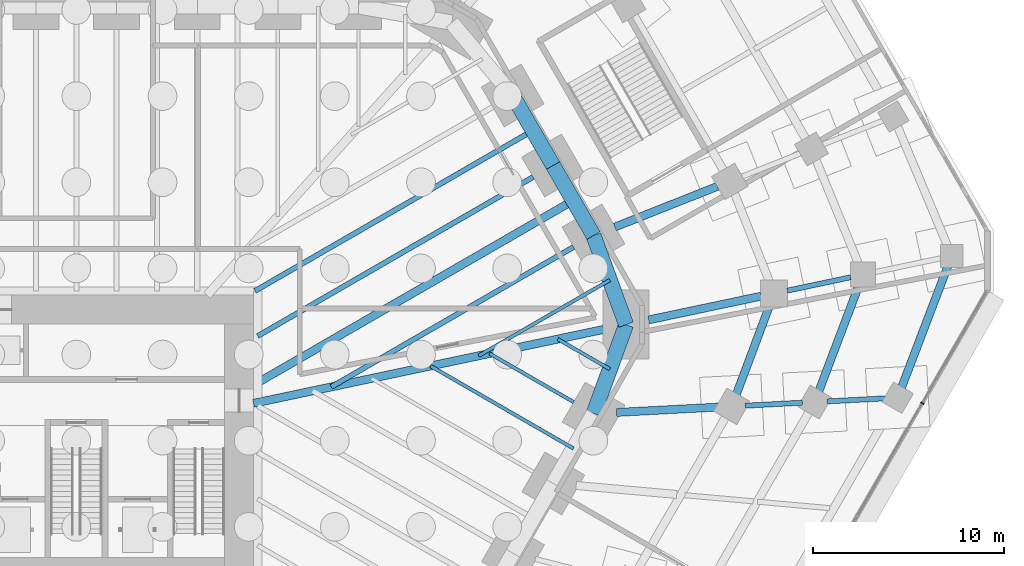
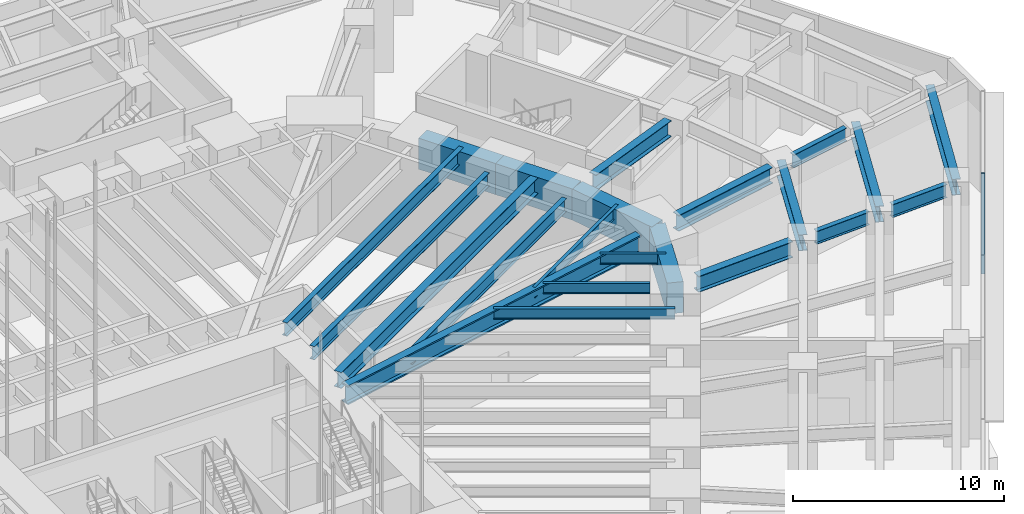
# One storey, part 11 of 34: 22 beams, 1 member, 1 element without a shape of its own.
"""IFC4 building model written with IfcOpenShell, lengths in metres."""

from ifc_helpers import new_model, si_unit, direction, frame, origin, origin_2d, place, context, subcontext, project, spatial, rectangle, i_section, extrude, material, material_profile, profile_set, type_object, element, aggregate, save


model = new_model("IFC4")

# Units and contexts
model_context = context("Model", 3, precision=1e-05, world=origin(), true_north=direction((0.0, 1.0)))
body_context = subcontext(model_context, "Body", "Model", "MODEL_VIEW")
ifc_project = project(units=[si_unit("LENGTHUNIT", "METRE"), si_unit("AREAUNIT", "SQUARE_METRE"), si_unit("VOLUMEUNIT", "CUBIC_METRE"), si_unit("PLANEANGLEUNIT", "RADIAN"), si_unit("MASSUNIT", "GRAM", prefix="KILO")], contexts=[model_context])

# Site, building, storey
site_placement = place(None, origin())
site = spatial("IfcSite", under=ifc_project, at=site_placement, CompositionType="ELEMENT")
building_placement = place(site_placement, origin())
building = spatial("IfcBuilding", under=site, at=building_placement, Name="Sandreach Pilgrim Tower", CompositionType="ELEMENT")
storey_placement = place(building_placement, origin())
storey = spatial("IfcBuildingStorey", under=building, at=storey_placement, Name="L00", CompositionType="ELEMENT", Elevation=0.0)

# Curtain wall, member
ifc_material_1 = material(Name="Aluminium framed curtain wall", Category="aluminium")
curtain_wall_type = type_object("IfcCurtainWallType", Name="Podium storefront curtain wall", PredefinedType="NOTDEFINED", material=ifc_material_1)
curtain_wall_placement = place(storey_placement, origin())
curtain_wall = element("IfcCurtainWall", 1, at=curtain_wall_placement, inside=storey, type_object=curtain_wall_type, Name="CW-P L00 SEA", PredefinedType="NOTDEFINED")
ifc_material_2 = material(Name="Aluminium extrusion", Category="aluminium")
ifc_material_profile_1 = material_profile(ifc_material_2, rectangle(XDim=0.070068359375, YDim=0.199951171875, at=origin_2d()), Name="CW-PM 70X200")
ifc_profile_set_1 = profile_set([ifc_material_profile_1], Name="Aluminium extrusion")
member_type = type_object("IfcMemberType", Name="CW-P mullion", PredefinedType="MULLION", material=ifc_profile_set_1)
member_placement = place(storey_placement, frame((44.18505859375, 1.9599609375, 0.0), z_axis=(0.0, 0.0, 1.0), x_axis=(-0.5, -0.866025403784, 0.0)))
member = element("IfcMember", 2, at=member_placement, type_object=member_type, Name="CW-P mullion 2", PredefinedType="MULLION", context=body_context, shape_type="SweptSolid", body=[
    extrude(rectangle(XDim=0.070068359375, YDim=0.199951171875, at=origin_2d()), origin(), (0.0, 0.0, 1.0), 5.840087890625),
])
aggregate(curtain_wall, [member])

# Beams
ifc_material_3 = material(Name="Steel ASTM A992 Grade 50", Category="steel")
ifc_material_profile_2 = material_profile(ifc_material_3, i_section(OverallWidth=0.424072265625, OverallDepth=1.09228515625, WebThickness=0.04541015625, FlangeThickness=0.08203125, at=origin_2d()), Name="W40X593")
ifc_profile_set_2 = profile_set([ifc_material_profile_2], Name="Steel ASTM A992 Grade 50")
beam_type_1 = type_object("IfcBeamType", Name="Corner girder W40X593", PredefinedType="BEAM", material=ifc_profile_set_2)
beam_1_placement = place(storey_placement, frame((27.53857421875, 5.814208984375, 5.2939453125), z_axis=(-0.978429884383, -0.206579189045, 0.0), x_axis=(0.206579189045, -0.978429884383, 0.0)))
element("IfcBeam", 3, at=beam_1_placement, inside=storey, type_object=beam_type_1, Name="BM L00 CG13", PredefinedType="BEAM", context=body_context, shape_type="SweptSolid", body=[
    extrude(i_section(OverallWidth=0.424072265625, OverallDepth=1.09228515625, WebThickness=0.04541015625, FlangeThickness=0.08203125, at=origin_2d()), origin(), (0.0, 0.0, 1.0), 18.691650390625),
])
ifc_material_4 = material(Name="Steel ASTM A992 Grade 50", Category="steel")
ifc_material_profile_3 = material_profile(ifc_material_4, i_section(OverallWidth=0.1787109375, OverallDepth=0.60205078125, WebThickness=0.010986328125, FlangeThickness=0.014892578125, at=origin_2d()), Name="W24X62")
ifc_profile_set_3 = profile_set([ifc_material_profile_3], Name="Steel ASTM A992 Grade 50")
beam_type_2 = type_object("IfcBeamType", Name="Floor beam W24X62", PredefinedType="BEAM", material=ifc_profile_set_3)
beam_2_placement = place(storey_placement, frame((25.97705078125, 2.016357421875, 5.5390625), z_axis=(-0.866027897259, 0.49999568115, 0.0), x_axis=(-0.49999568115, -0.866027897259, 0.0)))
element("IfcBeam", 4, at=beam_2_placement, inside=storey, type_object=beam_type_2, Name="BM L00 F14", PredefinedType="BEAM", context=body_context, shape_type="SweptSolid", body=[
    extrude(i_section(OverallWidth=0.1787109375, OverallDepth=0.60205078125, WebThickness=0.010986328125, FlangeThickness=0.014892578125, at=origin_2d()), origin(), (0.0, 0.0, 1.0), 5.0791015625),
])
beam_3_placement = place(storey_placement, frame((27.861328125, 8.390380859375, 5.5390625), z_axis=(-0.866028778003, -0.499994155636, 0.0), x_axis=(0.499994155636, -0.866028778003, 0.0)))
element("IfcBeam", 5, at=beam_3_placement, inside=storey, type_object=beam_type_2, Name="BM L00 FM12", PredefinedType="BEAM", context=body_context, shape_type="SweptSolid", body=[
    extrude(i_section(OverallWidth=0.1787109375, OverallDepth=0.60205078125, WebThickness=0.010986328125, FlangeThickness=0.014892578125, at=origin_2d()), origin(), (0.0, 0.0, 1.0), 7.90771484375),
])
beam_4_placement = place(storey_placement, frame((27.864501953125, 3.7392578125, 5.5390625), z_axis=(-0.866023718453, 0.500002919068, 0.0), x_axis=(-0.500002919068, -0.866023718453, 0.0)))
element("IfcBeam", 6, at=beam_4_placement, inside=storey, type_object=beam_type_2, Name="BM L00 FM13", PredefinedType="BEAM", context=body_context, shape_type="SweptSolid", body=[
    extrude(i_section(OverallWidth=0.1787109375, OverallDepth=0.60205078125, WebThickness=0.010986328125, FlangeThickness=0.014892578125, at=origin_2d()), origin(), (0.0, 0.0, 1.0), 3.1396484375),
])
beam_5_placement = place(storey_placement, frame((25.9638671875, -0.40673828125, 5.5390625), z_axis=(-0.866020100198, 0.500009185969, 0.0), x_axis=(-0.500009185969, -0.866020100198, 0.0)))
element("IfcBeam", 7, at=beam_5_placement, inside=storey, type_object=beam_type_2, Name="BM L00 FM14", PredefinedType="BEAM", context=body_context, shape_type="SweptSolid", body=[
    extrude(i_section(OverallWidth=0.1787109375, OverallDepth=0.60205078125, WebThickness=0.010986328125, FlangeThickness=0.014892578125, at=origin_2d()), origin(), (0.0, 0.0, 1.0), 8.623291015625),
])
ifc_material_5 = material(Name="Steel ASTM A992 Grade 50", Category="steel")
ifc_material_profile_4 = material_profile(ifc_material_5, i_section(OverallWidth=0.2666015625, OverallDepth=0.761962890625, WebThickness=0.014404296875, FlangeThickness=0.021484375, at=origin_2d()), Name="W30X116")
ifc_profile_set_4 = profile_set([ifc_material_profile_4], Name="Steel ASTM A992 Grade 50")
beam_type_3 = type_object("IfcBeamType", Name="Floor beam W30X116", PredefinedType="BEAM", material=ifc_profile_set_4)
beam_6_placement = place(storey_placement, frame((25.970947265625, 10.118896484375, 5.458984375), z_axis=(-0.866020355572, -0.500008743658, 0.0), x_axis=(0.500008743658, -0.866020355572, 0.0)))
element("IfcBeam", 8, at=beam_6_placement, inside=storey, type_object=beam_type_3, Name="BM L00 F12", PredefinedType="BEAM", context=body_context, shape_type="SweptSolid", body=[
    extrude(i_section(OverallWidth=0.2666015625, OverallDepth=0.761962890625, WebThickness=0.014404296875, FlangeThickness=0.021484375, at=origin_2d()), origin(), (0.0, 0.0, 1.0), 14.615966796875),
])
ifc_material_6 = material(Name="Steel ASTM A992 Grade 50", Category="steel")
ifc_material_profile_5 = material_profile(ifc_material_6, i_section(OverallWidth=0.2666015625, OverallDepth=0.77978515625, WebThickness=0.0166015625, FlangeThickness=0.030029296875, at=origin_2d()), Name="W30X148")
ifc_profile_set_5 = profile_set([ifc_material_profile_5], Name="Steel ASTM A992 Grade 50")
beam_type_4 = type_object("IfcBeamType", Name="Floor beam W30X148", PredefinedType="BEAM", material=ifc_profile_set_5)
beam_7_placement = place(storey_placement, frame((23.85986328125, 13.775390625, 5.4501953125), z_axis=(-0.866027987673, -0.499995524547, 0.0), x_axis=(0.499995524547, -0.866027987673, 0.0)))
element("IfcBeam", 9, at=beam_7_placement, inside=storey, type_object=beam_type_4, Name="BM L00 F11", PredefinedType="BEAM", context=body_context, shape_type="SweptSolid", body=[
    extrude(i_section(OverallWidth=0.2666015625, OverallDepth=0.77978515625, WebThickness=0.0166015625, FlangeThickness=0.030029296875, at=origin_2d()), origin(), (0.0, 0.0, 1.0), 16.613525390625),
])
beam_8_placement = place(storey_placement, frame((23.843505859375, 16.203857421875, 5.4501953125), z_axis=(-0.866022606334, -0.500004845295, 0.0), x_axis=(0.500004845295, -0.866022606334, 0.0)))
element("IfcBeam", 10, at=beam_8_placement, inside=storey, type_object=beam_type_4, Name="BM L00 FM10", PredefinedType="BEAM", context=body_context, shape_type="SweptSolid", body=[
    extrude(i_section(OverallWidth=0.2666015625, OverallDepth=0.77978515625, WebThickness=0.0166015625, FlangeThickness=0.030029296875, at=origin_2d()), origin(), (0.0, 0.0, 1.0), 16.763427734375),
])
ifc_material_7 = material(Name="Steel ASTM A992 Grade 50", Category="steel")
ifc_material_profile_6 = material_profile(ifc_material_7, i_section(OverallWidth=0.419189453125, OverallDepth=0.927001953125, WebThickness=0.019287109375, FlangeThickness=0.031982421875, at=origin_2d()), Name="W36X231")
ifc_profile_set_6 = profile_set([ifc_material_profile_6], Name="Steel ASTM A992 Grade 50")
beam_type_5 = type_object("IfcBeamType", Name="Floor beam W36X231", PredefinedType="BEAM", material=ifc_profile_set_6)
beam_9_placement = place(storey_placement, frame((25.95458984375, 12.547119140625, 5.37646484375), z_axis=(-0.866025800233, -0.499999313329, 0.0), x_axis=(0.499999313329, -0.866025800233, 0.0)))
element("IfcBeam", 11, at=beam_9_placement, inside=storey, type_object=beam_type_5, Name="BM L00 FM11", PredefinedType="BEAM", context=body_context, shape_type="SweptSolid", body=[
    extrude(i_section(OverallWidth=0.419189453125, OverallDepth=0.927001953125, WebThickness=0.019287109375, FlangeThickness=0.031982421875, at=origin_2d()), origin(), (0.0, 0.0, 1.0), 19.0322265625),
])
ifc_material_8 = material(Name="Steel ASTM A992 Grade 50", Category="steel")
ifc_material_profile_7 = material_profile(ifc_material_8, i_section(OverallWidth=0.2666015625, OverallDepth=0.7568359375, WebThickness=0.013916015625, FlangeThickness=0.019287109375, at=origin_2d()), Name="W30X108")
ifc_profile_set_7 = profile_set([ifc_material_profile_7], Name="Steel ASTM A992 Grade 50")
beam_type_6 = type_object("IfcBeamType", Name="Podium beam W30X108", PredefinedType="BEAM", material=ifc_profile_set_7)
beam_10_placement = place(storey_placement, frame((37.128173828125, 7.8388671875, 5.46142578125), z_axis=(0.978431212045, 0.206572900681, 0.0), x_axis=(-0.206572900681, 0.978431212045, 0.0)))
element("IfcBeam", 12, at=beam_10_placement, inside=storey, type_object=beam_type_6, Name="BM L00 PR140-13", PredefinedType="BEAM", context=body_context, shape_type="SweptSolid", body=[
    extrude(i_section(OverallWidth=0.2666015625, OverallDepth=0.7568359375, WebThickness=0.013916015625, FlangeThickness=0.019287109375, at=origin_2d()), origin(), (0.0, 0.0, 1.0), 3.390869140625),
])
beam_11_placement = place(storey_placement, frame((34.933837890625, 1.831298828125, 5.46142578125), z_axis=(0.998626620919, 0.052391525946, 0.0), x_axis=(-0.052391525946, 0.998626620919, 0.0)))
element("IfcBeam", 13, at=beam_11_placement, inside=storey, type_object=beam_type_6, Name="BM L00 PR140-14", PredefinedType="BEAM", context=body_context, shape_type="SweptSolid", body=[
    extrude(i_section(OverallWidth=0.2666015625, OverallDepth=0.7568359375, WebThickness=0.013916015625, FlangeThickness=0.019287109375, at=origin_2d()), origin(), (0.0, 0.0, 1.0), 2.987060546875),
])
beam_12_placement = place(storey_placement, frame((39.215087890625, 2.0556640625, 5.37158203125), z_axis=(0.998628513733, 0.052355434869, 0.0), x_axis=(-0.052355434869, 0.998628513733, 0.0)))
element("IfcBeam", 14, at=beam_12_placement, inside=storey, type_object=beam_type_6, Name="BM L00 PR155-14", PredefinedType="BEAM", context=body_context, shape_type="SweptSolid", body=[
    extrude(i_section(OverallWidth=0.2666015625, OverallDepth=0.7568359375, WebThickness=0.013916015625, FlangeThickness=0.019287109375, at=origin_2d()), origin(), (0.0, 0.0, 1.0), 3.0869140625),
])
ifc_material_9 = material(Name="Steel ASTM A992 Grade 50", Category="steel")
ifc_material_profile_8 = material_profile(ifc_material_9, i_section(OverallWidth=0.419189453125, OverallDepth=0.927001953125, WebThickness=0.019287109375, FlangeThickness=0.031982421875, at=origin_2d()), Name="W36X231")
ifc_profile_set_8 = profile_set([ifc_material_profile_8], Name="Steel ASTM A992 Grade 50")
beam_type_7 = type_object("IfcBeamType", Name="Podium beam W36X231", PredefinedType="BEAM", material=ifc_profile_set_8)
beam_13_placement = place(storey_placement, frame((28.12548828125, 11.161376953125, 5.37646484375), z_axis=(0.929487712138, 0.368853077776, 0.0), x_axis=(-0.368853077776, 0.929487712138, 0.0)))
element("IfcBeam", 15, at=beam_13_placement, inside=storey, type_object=beam_type_7, Name="BM L00 PR125-12", PredefinedType="BEAM", context=body_context, shape_type="SweptSolid", body=[
    extrude(i_section(OverallWidth=0.419189453125, OverallDepth=0.927001953125, WebThickness=0.019287109375, FlangeThickness=0.031982421875, at=origin_2d()), origin(), (0.0, 0.0, 1.0), 5.759033203125),
])
beam_14_placement = place(storey_placement, frame((29.88671875, 6.31005859375, 5.37646484375), z_axis=(0.978427888688, 0.206588641113, 0.0), x_axis=(-0.206588641113, 0.978427888688, 0.0)))
element("IfcBeam", 16, at=beam_14_placement, inside=storey, type_object=beam_type_7, Name="BM L00 PR125-13", PredefinedType="BEAM", context=body_context, shape_type="SweptSolid", body=[
    extrude(i_section(OverallWidth=0.419189453125, OverallDepth=0.927001953125, WebThickness=0.019287109375, FlangeThickness=0.031982421875, at=origin_2d()), origin(), (0.0, 0.0, 1.0), 6.0009765625),
])
beam_15_placement = place(storey_placement, frame((28.214599609375, 1.47900390625, 5.37646484375), z_axis=(0.998627810004, 0.052368856067, 0.0), x_axis=(-0.052368856067, 0.998627810004, 0.0)))
element("IfcBeam", 17, at=beam_15_placement, inside=storey, type_object=beam_type_7, Name="BM L00 PR125-14", PredefinedType="BEAM", context=body_context, shape_type="SweptSolid", body=[
    extrude(i_section(OverallWidth=0.419189453125, OverallDepth=0.927001953125, WebThickness=0.019287109375, FlangeThickness=0.031982421875, at=origin_2d()), origin(), (0.0, 0.0, 1.0), 5.32861328125),
])
ifc_material_10 = material(Name="Steel ASTM A992 Grade 50", Category="steel")
ifc_material_profile_9 = material_profile(ifc_material_10, i_section(OverallWidth=0.419189453125, OverallDepth=0.927001953125, WebThickness=0.019287109375, FlangeThickness=0.031982421875, at=origin_2d()), Name="W36X231")
ifc_profile_set_9 = profile_set([ifc_material_profile_9], Name="Steel ASTM A992 Grade 50")
beam_type_8 = type_object("IfcBeamType", Name="Podium edge beam W36X231", PredefinedType="BEAM", material=ifc_profile_set_9)
beam_16_placement = place(storey_placement, frame((36.443359375, 7.6943359375, 5.37646484375), z_axis=(-0.350583989039, -0.936531295061, 0.0), x_axis=(0.936531295061, -0.350583989039, 0.0)))
element("IfcBeam", 18, at=beam_16_placement, inside=storey, type_object=beam_type_8, Name="BM L00 PE125-13", PredefinedType="BEAM", context=body_context, shape_type="SweptSolid", body=[
    extrude(i_section(OverallWidth=0.419189453125, OverallDepth=0.927001953125, WebThickness=0.019287109375, FlangeThickness=0.031982421875, at=origin_2d()), origin(), (0.0, 0.0, 1.0), 6.299560546875),
])
beam_17_placement = place(storey_placement, frame((41.081787109375, 8.673583984375, 5.37646484375), z_axis=(-0.353763046731, -0.935335077268, 0.0), x_axis=(0.935335077268, -0.353763046731, 0.0)))
element("IfcBeam", 19, at=beam_17_placement, inside=storey, type_object=beam_type_8, Name="BM L00 PE140-13", PredefinedType="BEAM", context=body_context, shape_type="SweptSolid", body=[
    extrude(i_section(OverallWidth=0.419189453125, OverallDepth=0.927001953125, WebThickness=0.019287109375, FlangeThickness=0.031982421875, at=origin_2d()), origin(), (0.0, 0.0, 1.0), 7.11181640625),
])
beam_18_placement = place(storey_placement, frame((45.72021484375, 9.653076171875, 5.286376953125), z_axis=(-0.356277169491, -0.934380317911, 0.0), x_axis=(0.934380317911, -0.356277169491, 0.0)))
element("IfcBeam", 20, at=beam_18_placement, inside=storey, type_object=beam_type_8, Name="BM L00 PE155-13", PredefinedType="BEAM", context=body_context, shape_type="SweptSolid", body=[
    extrude(i_section(OverallWidth=0.419189453125, OverallDepth=0.927001953125, WebThickness=0.019287109375, FlangeThickness=0.031982421875, at=origin_2d()), origin(), (0.0, 0.0, 1.0), 7.92431640625),
])
ifc_material_11 = material(Name="Concrete 10000 psi", Category="concrete")
ifc_material_profile_10 = material_profile(ifc_material_11, rectangle(XDim=0.800048828125, YDim=1.800048828125, at=origin_2d()), Name="RC800X1800")
ifc_profile_set_10 = profile_set([ifc_material_profile_10], Name="Concrete 10000 psi")
beam_type_9 = type_object("IfcBeamType", Name="Spandrel beam RC800X1800", PredefinedType="SPANDREL", material=ifc_profile_set_10)
beam_19_placement = place(storey_placement, frame((22.787841796875, 18.031982421875, 4.93994140625), z_axis=(0.500001084989, -0.866024777365, 0.0), x_axis=(0.866024777365, 0.500001084989, 0.0)))
element("IfcBeam", 21, at=beam_19_placement, inside=storey, type_object=beam_type_9, Name="BM L00 SP10", PredefinedType="SPANDREL", context=body_context, shape_type="SweptSolid", body=[
    extrude(rectangle(XDim=0.800048828125, YDim=1.800048828125, at=origin_2d()), origin(), (0.0, 0.0, 1.0), 4.22216796875),
])
beam_20_placement = place(storey_placement, frame((24.89892578125, 14.37548828125, 4.93994140625), z_axis=(0.500019412692, -0.866014195571, 0.0), x_axis=(0.866014195571, 0.500019412692, 0.0)))
element("IfcBeam", 22, at=beam_20_placement, inside=storey, type_object=beam_type_9, Name="BM L00 SP11", PredefinedType="SPANDREL", context=body_context, shape_type="SweptSolid", body=[
    extrude(rectangle(XDim=0.800048828125, YDim=1.800048828125, at=origin_2d()), origin(), (0.0, 0.0, 1.0), 4.222412109375),
])
beam_21_placement = place(storey_placement, frame((27.01025390625, 10.71875, 4.93994140625), z_axis=(0.343367552823, -0.939201109278, 0.0), x_axis=(0.939201109278, 0.343367552823, 0.0)))
element("IfcBeam", 23, at=beam_21_placement, inside=storey, type_object=beam_type_9, Name="BM L00 SP12", PredefinedType="SPANDREL", context=body_context, shape_type="SweptSolid", body=[
    extrude(rectangle(XDim=0.800048828125, YDim=1.800048828125, at=origin_2d()), origin(), (0.0, 0.0, 1.0), 4.9580078125),
])
beam_22_placement = place(storey_placement, frame((28.712646484375, 6.062255859375, 4.93994140625), z_axis=(-0.342963480301, -0.939348737786, 0.0), x_axis=(0.939348737786, -0.342963480301, 0.0)))
element("IfcBeam", 24, at=beam_22_placement, inside=storey, type_object=beam_type_9, Name="BM L00 SP13", PredefinedType="SPANDREL", context=body_context, shape_type="SweptSolid", body=[
    extrude(rectangle(XDim=0.800048828125, YDim=1.800048828125, at=origin_2d()), origin(), (0.0, 0.0, 1.0), 4.946044921875),
])

save(model, "model.ifc")
